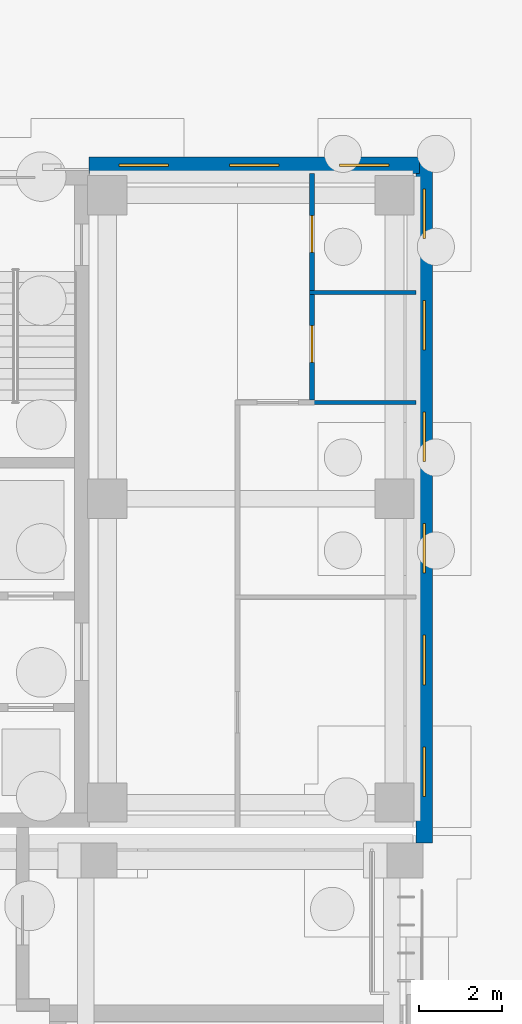
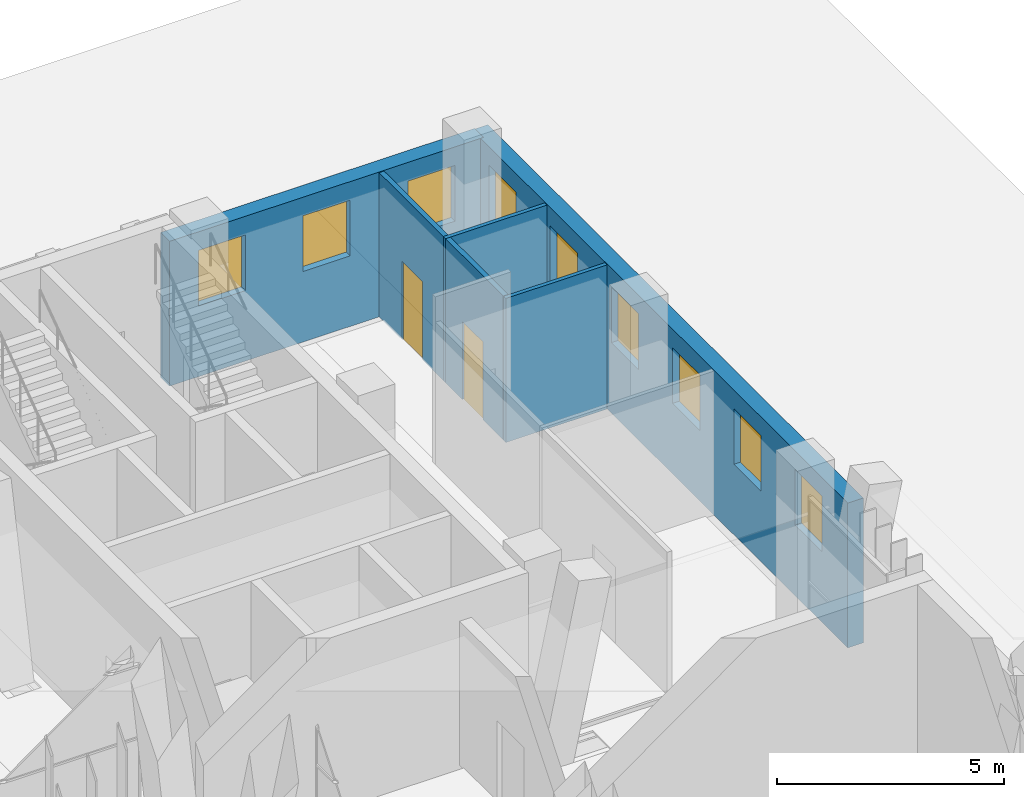
# One storey, part 114 of 144: 9 windows, 5 walls, 2 doors, 11 openings.
"""IFC4 building model written with IfcOpenShell, lengths in metres."""

from ifc_helpers import new_model, si_unit, direction, frame, frame_2d, origin, place, context, subcontext, project, spatial, rectangle, extrude, material, layer, layer_set, type_object, element, fill, save


model = new_model("IFC4")

# Units and contexts
model_context = context("Model", 3, precision=1e-05, world=origin(), true_north=direction((0.0, 1.0)))
body_context = subcontext(model_context, "Body", "Model", "MODEL_VIEW")
ifc_project = project(units=[si_unit("LENGTHUNIT", "METRE"), si_unit("AREAUNIT", "SQUARE_METRE"), si_unit("VOLUMEUNIT", "CUBIC_METRE"), si_unit("PLANEANGLEUNIT", "RADIAN"), si_unit("MASSUNIT", "GRAM", prefix="KILO")], contexts=[model_context])

# Site, building, storey
site_placement = place(None, origin())
site = spatial("IfcSite", under=ifc_project, at=site_placement, CompositionType="ELEMENT")
building_placement = place(site_placement, origin())
building = spatial("IfcBuilding", under=site, at=building_placement, Name="Lantern Court Media Centre", CompositionType="ELEMENT")
storey_placement = place(building_placement, origin())
storey = spatial("IfcBuildingStorey", under=building, at=storey_placement, Name="L00", CompositionType="ELEMENT", Elevation=0.0)

# Wall, openings, doors
ifc_material_1 = material(Name="Gypsum board partition")
ifc_layer_1 = layer(ifc_material_1, 0.125)
ifc_layer_set_1 = layer_set([ifc_layer_1], Name="Gypsum board partition")
wall_type_1 = type_object("IfcWallType", Name="Corridor partition 125", PredefinedType="PARTITIONING", material=ifc_layer_set_1)
wall_1_placement = place(storey_placement, frame((93.39990234375, 106.4482421875, 0.0), z_axis=(0.0, 0.0, 1.0), x_axis=(0.0, 1.0, 0.0)))
wall_1 = element("IfcWall", 1, at=wall_1_placement, inside=storey, type_object=wall_type_1, Name="L00 partition 045", PredefinedType="PARTITIONING", context=body_context, shape_type="SweptSolid", body=[
    extrude(rectangle(XDim=5.4716796875, YDim=0.125, at=frame_2d((2.73583984375, 0.0))), origin(), (0.0, 0.0, 1.0), 3.8798828125),
])
opening_1_placement = place(wall_1_placement, frame((3.55859375, 0.0, 0.0)))
opening_1 = element("IfcOpeningElement", 2, at=opening_1_placement, cuts=wall_1, Name="Opening L00-033", PredefinedType="OPENING", context=body_context, shape_type="SweptSolid", body=[
    extrude(rectangle(XDim=0.89990234375, YDim=2.10009765625, at=frame_2d((0.449951171875, 1.050048828125))), frame((0.0, 0.072509765625, 0.0), z_axis=(0.0, -1.0, 0.0), x_axis=(1.0, 0.0, 0.0)), (0.0, 0.0, 1.0), 0.14501953125),
])
opening_2_placement = place(wall_1_placement, frame((0.9013671875, 0.0, 0.0)))
opening_2 = element("IfcOpeningElement", 3, at=opening_2_placement, cuts=wall_1, Name="Opening L00-034", PredefinedType="OPENING", context=body_context, shape_type="SweptSolid", body=[
    extrude(rectangle(XDim=0.89990234375, YDim=2.10009765625, at=frame_2d((0.449951171875, 1.050048828125))), frame((0.0, 0.072509765625, 0.0), z_axis=(0.0, -1.0, 0.0), x_axis=(1.0, 0.0, 0.0)), (0.0, 0.0, 1.0), 0.14501953125),
])
ifc_material_2 = material(Name="Solid-core timber door leaf", Category="wood")
door_type = type_object("IfcDoorType", Name="Single door 900x2100", OperationType="NOTDEFINED", PredefinedType="DOOR", material=ifc_material_2)
door_1_placement = place(opening_1_placement, frame((0.89990234375, 0.0, 0.0), z_axis=(0.0, 0.0, 1.0), x_axis=(-1.0, 0.0, 0.0)))
door_1 = element("IfcDoor", 4, at=door_1_placement, inside=storey, type_object=door_type, Name="L00 WC Male door", OperationType="SINGLE_SWING_RIGHT", OverallHeight=2.10009765625, OverallWidth=0.89990234375, PredefinedType="DOOR", context=body_context, shape_type="SweptSolid", body=[
    extrude(rectangle(XDim=0.89990234375, YDim=2.10009765625, at=frame_2d((0.449951171875, 1.050048828125))), frame((0.0, 0.02490234375, 0.0), z_axis=(0.0, -1.0, 0.0), x_axis=(1.0, 0.0, 0.0)), (0.0, 0.0, 1.0), 0.050048828125),
])
fill(opening_1, door_1)
door_2_placement = place(opening_2_placement, frame((0.89990234375, 0.0, 0.0), z_axis=(0.0, 0.0, 1.0), x_axis=(-1.0, 0.0, 0.0)))
door_2 = element("IfcDoor", 5, at=door_2_placement, inside=storey, type_object=door_type, Name="L00 WC Female door", OperationType="SINGLE_SWING_LEFT", OverallHeight=2.10009765625, OverallWidth=0.89990234375, PredefinedType="DOOR", context=body_context, shape_type="SweptSolid", body=[
    extrude(rectangle(XDim=0.89990234375, YDim=2.10009765625, at=frame_2d((0.449951171875, 1.050048828125))), frame((0.0, 0.02490234375, 0.0), z_axis=(0.0, -1.0, 0.0), x_axis=(1.0, 0.0, 0.0)), (0.0, 0.0, 1.0), 0.050048828125),
])
fill(opening_2, door_2)

# Wall, openings, windows
ifc_material_3 = material(Name="Honed limestone cladding on blockwork", Category="masonry")
ifc_layer_2 = layer(ifc_material_3, 0.39990234375)
ifc_layer_set_2 = layer_set([ifc_layer_2], Name="Honed limestone cladding on blockwork")
wall_type_2 = type_object("IfcWallType", Name="Limestone plinth wall 400", PredefinedType="SOLIDWALL", material=ifc_layer_set_2)
wall_2_placement = place(storey_placement, frame((96.1201171875, 95.72509765625, 0.0), z_axis=(0.0, 0.0, 1.0), x_axis=(0.0, 1.0, 0.0)))
wall_2 = element("IfcWall", 6, at=wall_2_placement, inside=storey, type_object=wall_type_2, Name="Limestone wall NE E L00", PredefinedType="SOLIDWALL", context=body_context, shape_type="SweptSolid", body=[
    extrude(rectangle(XDim=16.574951171875, YDim=0.39990234375, at=frame_2d((8.28759765625, 0.0))), origin(), (0.0, 0.0, 1.0), 3.89990234375),
])
opening_3_placement = place(wall_2_placement, frame((1.125, 0.0, 1.89990234375)))
opening_3 = element("IfcOpeningElement", 7, at=opening_3_placement, cuts=wall_2, Name="Opening WN-C", PredefinedType="OPENING", context=body_context, shape_type="SweptSolid", body=[
    extrude(rectangle(XDim=1.199951171875, YDim=1.5, at=frame_2d((0.60009765625, 0.75))), frame((0.0, 0.2099609375, 0.0), z_axis=(0.0, -1.0, 0.0), x_axis=(1.0, 0.0, 0.0)), (0.0, 0.0, 1.0), 0.419921875),
])
opening_4_placement = place(wall_2_placement, frame((3.824951171875, 0.0, 1.89990234375)))
opening_4 = element("IfcOpeningElement", 8, at=opening_4_placement, cuts=wall_2, Name="Opening WN-C", PredefinedType="OPENING", context=body_context, shape_type="SweptSolid", body=[
    extrude(rectangle(XDim=1.199951171875, YDim=1.5, at=frame_2d((0.60009765625, 0.75))), frame((0.0, 0.2099609375, 0.0), z_axis=(0.0, -1.0, 0.0), x_axis=(1.0, 0.0, 0.0)), (0.0, 0.0, 1.0), 0.419921875),
])
opening_5_placement = place(wall_2_placement, frame((6.52490234375, 0.0, 1.89990234375)))
opening_5 = element("IfcOpeningElement", 9, at=opening_5_placement, cuts=wall_2, Name="Opening WN-C", PredefinedType="OPENING", context=body_context, shape_type="SweptSolid", body=[
    extrude(rectangle(XDim=1.199951171875, YDim=1.5, at=frame_2d((0.60009765625, 0.75))), frame((0.0, 0.2099609375, 0.0), z_axis=(0.0, -1.0, 0.0), x_axis=(1.0, 0.0, 0.0)), (0.0, 0.0, 1.0), 0.419921875),
])
opening_6_placement = place(wall_2_placement, frame((9.22509765625, 0.0, 1.89990234375)))
opening_6 = element("IfcOpeningElement", 10, at=opening_6_placement, cuts=wall_2, Name="Opening WN-C", PredefinedType="OPENING", context=body_context, shape_type="SweptSolid", body=[
    extrude(rectangle(XDim=1.199951171875, YDim=1.5, at=frame_2d((0.60009765625, 0.75))), frame((0.0, 0.2099609375, 0.0), z_axis=(0.0, -1.0, 0.0), x_axis=(1.0, 0.0, 0.0)), (0.0, 0.0, 1.0), 0.419921875),
])
opening_7_placement = place(wall_2_placement, frame((11.925048828125, 0.0, 1.89990234375)))
opening_7 = element("IfcOpeningElement", 11, at=opening_7_placement, cuts=wall_2, Name="Opening WN-C", PredefinedType="OPENING", context=body_context, shape_type="SweptSolid", body=[
    extrude(rectangle(XDim=1.199951171875, YDim=1.5, at=frame_2d((0.60009765625, 0.75))), frame((0.0, 0.2099609375, 0.0), z_axis=(0.0, -1.0, 0.0), x_axis=(1.0, 0.0, 0.0)), (0.0, 0.0, 1.0), 0.419921875),
])
opening_8_placement = place(wall_2_placement, frame((14.625, 0.0, 1.89990234375)))
opening_8 = element("IfcOpeningElement", 12, at=opening_8_placement, cuts=wall_2, Name="Opening WN-C", PredefinedType="OPENING", context=body_context, shape_type="SweptSolid", body=[
    extrude(rectangle(XDim=1.199951171875, YDim=1.5, at=frame_2d((0.60009765625, 0.75))), frame((0.0, 0.2099609375, 0.0), z_axis=(0.0, -1.0, 0.0), x_axis=(1.0, 0.0, 0.0)), (0.0, 0.0, 1.0), 0.419921875),
])
ifc_material_4 = material(Name="Anodised aluminium and glass", Category="aluminium")
window_type = type_object("IfcWindowType", Name="Clerestory window 1200x1500", PartitioningType="SINGLE_PANEL", PredefinedType="WINDOW", material=ifc_material_4)
window_1_placement = place(opening_3_placement, origin())
window_1 = element("IfcWindow", 13, at=window_1_placement, inside=storey, type_object=window_type, Name="Window NE E L00", OverallHeight=1.5, OverallWidth=1.199951171875, PartitioningType="SINGLE_PANEL", PredefinedType="WINDOW", context=body_context, shape_type="SweptSolid", body=[
    extrude(rectangle(XDim=1.199951171875, YDim=1.5, at=frame_2d((0.60009765625, 0.75))), frame((0.0, 0.030029296875, 0.0), z_axis=(0.0, -1.0, 0.0), x_axis=(1.0, 0.0, 0.0)), (0.0, 0.0, 1.0), 0.06005859375),
])
fill(opening_3, window_1)
window_2_placement = place(opening_4_placement, origin())
window_2 = element("IfcWindow", 14, at=window_2_placement, inside=storey, type_object=window_type, Name="Window NE E L00", OverallHeight=1.5, OverallWidth=1.199951171875, PartitioningType="SINGLE_PANEL", PredefinedType="WINDOW", context=body_context, shape_type="SweptSolid", body=[
    extrude(rectangle(XDim=1.199951171875, YDim=1.5, at=frame_2d((0.60009765625, 0.75))), frame((0.0, 0.030029296875, 0.0), z_axis=(0.0, -1.0, 0.0), x_axis=(1.0, 0.0, 0.0)), (0.0, 0.0, 1.0), 0.06005859375),
])
fill(opening_4, window_2)
window_3_placement = place(opening_5_placement, origin())
window_3 = element("IfcWindow", 15, at=window_3_placement, inside=storey, type_object=window_type, Name="Window NE E L00", OverallHeight=1.5, OverallWidth=1.199951171875, PartitioningType="SINGLE_PANEL", PredefinedType="WINDOW", context=body_context, shape_type="SweptSolid", body=[
    extrude(rectangle(XDim=1.199951171875, YDim=1.5, at=frame_2d((0.60009765625, 0.75))), frame((0.0, 0.030029296875, 0.0), z_axis=(0.0, -1.0, 0.0), x_axis=(1.0, 0.0, 0.0)), (0.0, 0.0, 1.0), 0.06005859375),
])
fill(opening_5, window_3)
window_4_placement = place(opening_6_placement, origin())
window_4 = element("IfcWindow", 16, at=window_4_placement, inside=storey, type_object=window_type, Name="Window NE E L00", OverallHeight=1.5, OverallWidth=1.199951171875, PartitioningType="SINGLE_PANEL", PredefinedType="WINDOW", context=body_context, shape_type="SweptSolid", body=[
    extrude(rectangle(XDim=1.199951171875, YDim=1.5, at=frame_2d((0.60009765625, 0.75))), frame((0.0, 0.030029296875, 0.0), z_axis=(0.0, -1.0, 0.0), x_axis=(1.0, 0.0, 0.0)), (0.0, 0.0, 1.0), 0.06005859375),
])
fill(opening_6, window_4)
window_5_placement = place(opening_7_placement, origin())
window_5 = element("IfcWindow", 17, at=window_5_placement, inside=storey, type_object=window_type, Name="Window NE E L00", OverallHeight=1.5, OverallWidth=1.199951171875, PartitioningType="SINGLE_PANEL", PredefinedType="WINDOW", context=body_context, shape_type="SweptSolid", body=[
    extrude(rectangle(XDim=1.199951171875, YDim=1.5, at=frame_2d((0.60009765625, 0.75))), frame((0.0, 0.030029296875, 0.0), z_axis=(0.0, -1.0, 0.0), x_axis=(1.0, 0.0, 0.0)), (0.0, 0.0, 1.0), 0.06005859375),
])
fill(opening_7, window_5)
window_6_placement = place(opening_8_placement, origin())
window_6 = element("IfcWindow", 18, at=window_6_placement, inside=storey, type_object=window_type, Name="Window NE E L00", OverallHeight=1.5, OverallWidth=1.199951171875, PartitioningType="SINGLE_PANEL", PredefinedType="WINDOW", context=body_context, shape_type="SweptSolid", body=[
    extrude(rectangle(XDim=1.199951171875, YDim=1.5, at=frame_2d((0.60009765625, 0.75))), frame((0.0, 0.030029296875, 0.0), z_axis=(0.0, -1.0, 0.0), x_axis=(1.0, 0.0, 0.0)), (0.0, 0.0, 1.0), 0.06005859375),
])
fill(opening_8, window_6)

wall_3_placement = place(storey_placement, frame((88.0, 112.1201171875, 0.0), z_axis=(0.0, 0.0, 1.0), x_axis=(1.0, 0.0, 0.0)))
wall_3 = element("IfcWall", 19, at=wall_3_placement, inside=storey, type_object=wall_type_2, Name="Limestone wall NE N L00", PredefinedType="SOLIDWALL", context=body_context, shape_type="SweptSolid", body=[
    extrude(rectangle(XDim=8.0, YDim=0.39990234375, at=frame_2d((4.0, 0.0))), origin(), (0.0, 0.0, 1.0), 3.89990234375),
])
opening_9_placement = place(wall_3_placement, frame((0.7333984375, 0.0, 1.89990234375)))
opening_9 = element("IfcOpeningElement", 20, at=opening_9_placement, cuts=wall_3, Name="Opening WN-C", PredefinedType="OPENING", context=body_context, shape_type="SweptSolid", body=[
    extrude(rectangle(XDim=1.199951171875, YDim=1.5, at=frame_2d((0.60009765625, 0.75))), frame((0.0, 0.2099609375, 0.0), z_axis=(0.0, -1.0, 0.0), x_axis=(1.0, 0.0, 0.0)), (0.0, 0.0, 1.0), 0.419921875),
])
opening_10_placement = place(wall_3_placement, frame((3.39990234375, 0.0, 1.89990234375)))
opening_10 = element("IfcOpeningElement", 21, at=opening_10_placement, cuts=wall_3, Name="Opening WN-C", PredefinedType="OPENING", context=body_context, shape_type="SweptSolid", body=[
    extrude(rectangle(XDim=1.199951171875, YDim=1.5, at=frame_2d((0.60009765625, 0.75))), frame((0.0, 0.2099609375, 0.0), z_axis=(0.0, -1.0, 0.0), x_axis=(1.0, 0.0, 0.0)), (0.0, 0.0, 1.0), 0.419921875),
])
opening_11_placement = place(wall_3_placement, frame((6.066650390625, 0.0, 1.89990234375)))
opening_11 = element("IfcOpeningElement", 22, at=opening_11_placement, cuts=wall_3, Name="Opening WN-C", PredefinedType="OPENING", context=body_context, shape_type="SweptSolid", body=[
    extrude(rectangle(XDim=1.199951171875, YDim=1.5, at=frame_2d((0.60009765625, 0.75))), frame((0.0, 0.2099609375, 0.0), z_axis=(0.0, -1.0, 0.0), x_axis=(1.0, 0.0, 0.0)), (0.0, 0.0, 1.0), 0.419921875),
])
window_7_placement = place(opening_9_placement, origin())
window_7 = element("IfcWindow", 23, at=window_7_placement, inside=storey, type_object=window_type, Name="Window NE N L00", OverallHeight=1.5, OverallWidth=1.199951171875, PartitioningType="SINGLE_PANEL", PredefinedType="WINDOW", context=body_context, shape_type="SweptSolid", body=[
    extrude(rectangle(XDim=1.199951171875, YDim=1.5, at=frame_2d((0.60009765625, 0.75))), frame((0.0, 0.030029296875, 0.0), z_axis=(0.0, -1.0, 0.0), x_axis=(1.0, 0.0, 0.0)), (0.0, 0.0, 1.0), 0.06005859375),
])
fill(opening_9, window_7)
window_8_placement = place(opening_10_placement, origin())
window_8 = element("IfcWindow", 24, at=window_8_placement, inside=storey, type_object=window_type, Name="Window NE N L00", OverallHeight=1.5, OverallWidth=1.199951171875, PartitioningType="SINGLE_PANEL", PredefinedType="WINDOW", context=body_context, shape_type="SweptSolid", body=[
    extrude(rectangle(XDim=1.199951171875, YDim=1.5, at=frame_2d((0.60009765625, 0.75))), frame((0.0, 0.030029296875, 0.0), z_axis=(0.0, -1.0, 0.0), x_axis=(1.0, 0.0, 0.0)), (0.0, 0.0, 1.0), 0.06005859375),
])
fill(opening_10, window_8)
window_9_placement = place(opening_11_placement, origin())
window_9 = element("IfcWindow", 25, at=window_9_placement, inside=storey, type_object=window_type, Name="Window NE N L00", OverallHeight=1.5, OverallWidth=1.199951171875, PartitioningType="SINGLE_PANEL", PredefinedType="WINDOW", context=body_context, shape_type="SweptSolid", body=[
    extrude(rectangle(XDim=1.199951171875, YDim=1.5, at=frame_2d((0.60009765625, 0.75))), frame((0.0, 0.030029296875, 0.0), z_axis=(0.0, -1.0, 0.0), x_axis=(1.0, 0.0, 0.0)), (0.0, 0.0, 1.0), 0.06005859375),
])
fill(opening_11, window_9)

# Walls
ifc_layer_3 = layer(ifc_material_1, 0.10009765625)
ifc_layer_set_3 = layer_set([ifc_layer_3], Name="Gypsum board partition")
wall_type_3 = type_object("IfcWallType", Name="Partition 100", PredefinedType="PARTITIONING", material=ifc_layer_set_3)
for number, where, z_axis, x_axis, name in (
    (26, (93.33740234375, 106.385986328125, 0.0), (0.0, 0.0, 1.0), (1.0, 0.0, 0.0), "L00 partition 053"),
    (27, (93.33740234375, 109.04296875, 0.0), (0.0, 0.0, 1.0), (1.0, 0.0, 0.0), "L00 partition 054"),
):
    element("IfcWall", number, at=place(storey_placement, frame(where, z_axis=z_axis, x_axis=x_axis)), inside=storey, type_object=wall_type_3, Name=name, PredefinedType="PARTITIONING", context=body_context, shape_type="SweptSolid", body=[
        extrude(rectangle(XDim=2.58251953125, YDim=0.10009765625, at=frame_2d((1.291259765625, 0.0))), origin(), (0.0, 0.0, 1.0), 3.8798828125),
    ])

save(model, "model.ifc")
